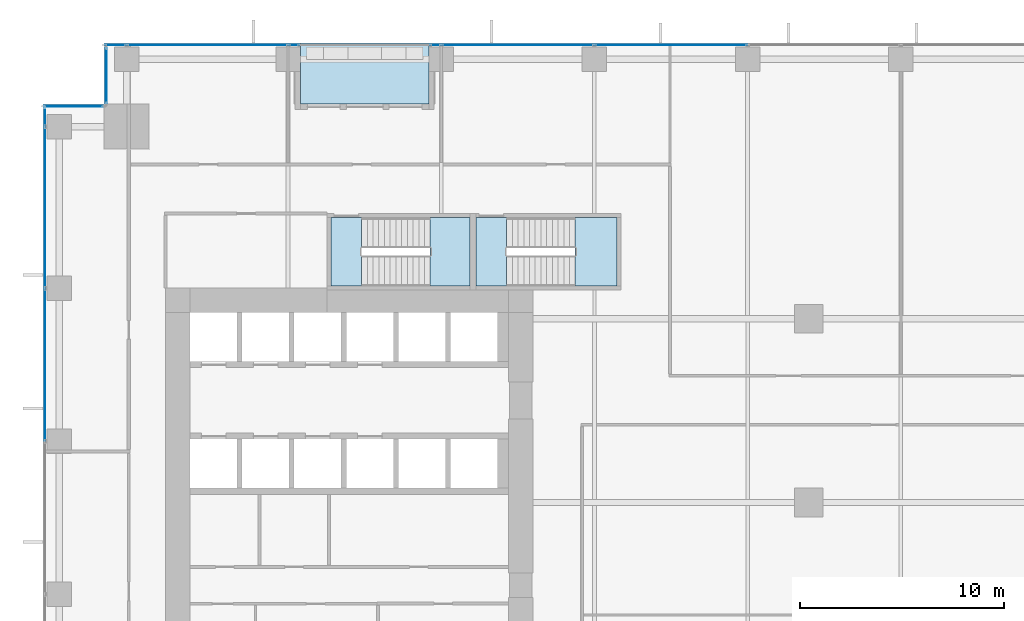
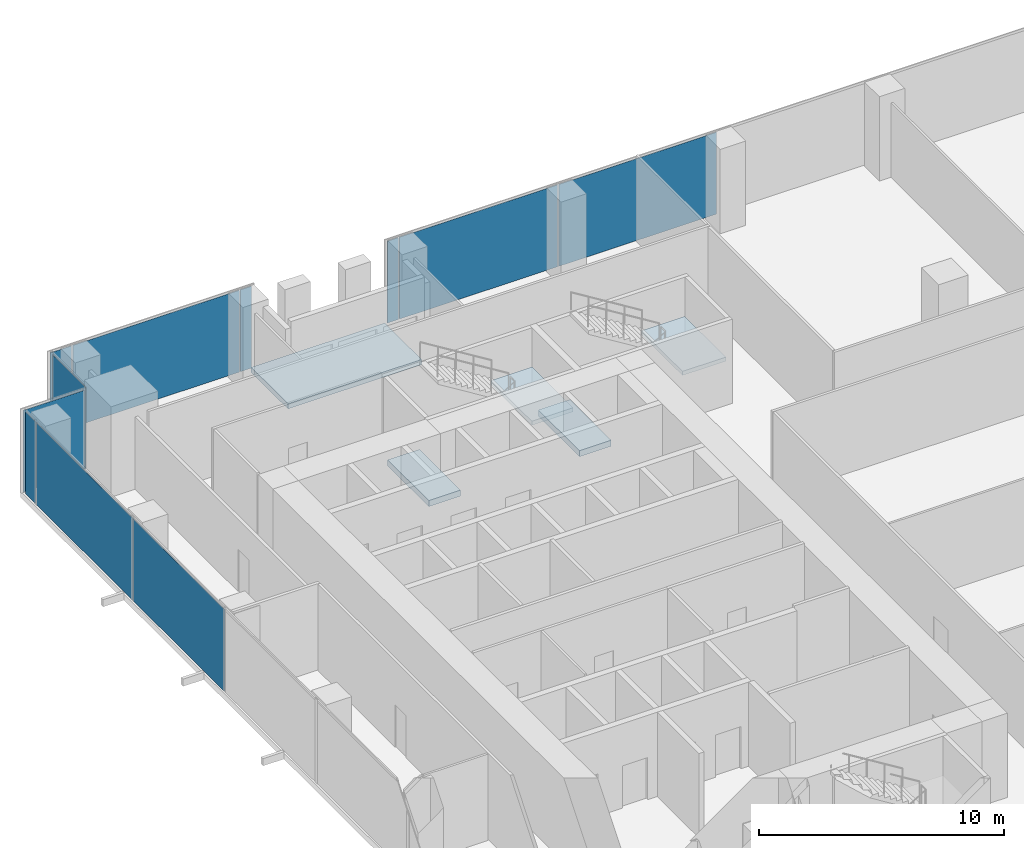
# One storey, part 24 of 32: 11 plates, 5 slabs, 7 elements without a shape of their own.
"""IFC4 building model written with IfcOpenShell, lengths in metres."""

import ifcopenshell
import ifcopenshell.guid

model = None  # the IFC model being written
_history = None  # IfcOwnerHistory: only IFC2X3 demands one
_inside = {}  # id of a spatial element -> (the spatial element, [elements in it])
_under = {}  # id of a project, library or spatial element -> (it, [spatial elements below it])
_declared = {}  # id of a project -> (the project, [libraries it declares])
_typed = {}  # id of a type object -> (the type object, [elements of that type])
_made_of = {}  # id of a material, layer set ... -> (it, [elements and type objects made of it])


def new_model(schema):
    """Start an empty IFC model of exactly this schema.

    Asked for "IFC4X3", IfcOpenShell would pick the latest addendum, in which some entities
    have other attributes; the version numbers below select the first issue.
    IFC2X3 requires an IfcOwnerHistory on every rooted entity: one is made here for all.
    """
    global model, _history
    if schema == "IFC4X3":
        model = ifcopenshell.file(schema_version=(4, 3, 0, 0))
    else:
        model = ifcopenshell.file(schema=schema)
    _inside.clear()
    _under.clear()
    _declared.clear()
    _typed.clear()
    _made_of.clear()
    _history = None
    if model.schema == "IFC2X3":
        org = make("IfcOrganization", Name="unknown")
        user = make(
            "IfcPersonAndOrganization",
            ThePerson=make("IfcPerson", FamilyName="unknown"),
            TheOrganization=org,
        )
        app = make(
            "IfcApplication",
            ApplicationDeveloper=org,
            Version="unknown",
            ApplicationFullName="unknown",
            ApplicationIdentifier="unknown",
        )
        _history = make(
            "IfcOwnerHistory",
            OwningUser=user,
            OwningApplication=app,
            ChangeAction="ADDED",
            CreationDate=0,
        )
    return model


def make(cls, **values):
    """One entity of the class cls with the attributes given. An attribute that is None is left unset."""
    return model.create_entity(
        cls, **{name: value for name, value in values.items() if value is not None}
    )


def rooted(cls, **values):
    """An entity with a GlobalId (a new one), such as an element, a storey or a relation."""
    return make(cls, GlobalId=ifcopenshell.guid.new(), OwnerHistory=_history, **values)


def si_unit(unit_type, name, prefix=None):
    """IfcSIUnit, for example si_unit("LENGTHUNIT", "METRE", prefix="MILLI")."""
    return make("IfcSIUnit", UnitType=unit_type, Prefix=prefix, Name=name)


def assignment(units):
    """IfcUnitAssignment: the units of a project."""
    return None if units is None else make("IfcUnitAssignment", Units=units)


def point(xyz):
    """IfcCartesianPoint."""
    return None if xyz is None else make("IfcCartesianPoint", Coordinates=xyz)


def direction(xyz):
    """IfcDirection."""
    return None if xyz is None else make("IfcDirection", DirectionRatios=xyz)


def frame(location, z_axis=None, x_axis=None):
    """IfcAxis2Placement3D, a coordinate frame: its origin and axes. An axis left out is left unset."""
    return make(
        "IfcAxis2Placement3D",
        Location=point(location),
        Axis=direction(z_axis),
        RefDirection=direction(x_axis),
    )


def frame_2d(location, x_axis=None):
    """IfcAxis2Placement2D, a coordinate frame in the plane: its origin and x axis."""
    return make(
        "IfcAxis2Placement2D", Location=point(location), RefDirection=direction(x_axis)
    )


def origin():
    """The frame at (0, 0, 0) with its axes left unset."""
    return frame((0.0, 0.0, 0.0))


def origin_2d():
    """The frame at (0, 0) in the plane with its x axis left unset."""
    return frame_2d((0.0, 0.0))


def place(relative_to, where):
    """IfcLocalPlacement: puts the frame where relative to a parent placement (None: the world)."""
    return make(
        "IfcLocalPlacement", PlacementRelTo=relative_to, RelativePlacement=where
    )


def context(
    kind, dimensions, precision=None, world=None, true_north=None, identifier=None
):
    """IfcGeometricRepresentationContext, for example the 3D "Model" context."""
    return make(
        "IfcGeometricRepresentationContext",
        ContextIdentifier=identifier,
        ContextType=kind,
        CoordinateSpaceDimension=dimensions,
        Precision=precision,
        WorldCoordinateSystem=world,
        TrueNorth=true_north,
    )


def subcontext(parent, identifier, kind, view, scale=None):
    """IfcGeometricRepresentationSubContext, for example "Body" below "Model"."""
    return make(
        "IfcGeometricRepresentationSubContext",
        ContextIdentifier=identifier,
        ContextType=kind,
        ParentContext=parent,
        TargetScale=scale,
        TargetView=view,
    )


def project(units=None, contexts=None):
    """IfcProject with its units and contexts."""
    return rooted(
        "IfcProject",
        Name="project",
        RepresentationContexts=contexts,
        UnitsInContext=assignment(units),
    )


def spatial(cls, under=None, at=None, **own):
    """A site, building, storey or space (cls), placed at a placement, below another one or the project."""
    s = rooted(cls, ObjectPlacement=at, **own)
    if under is not None:
        _under.setdefault(under.id(), (under, []))[1].append(s)
    return s


def polyline(points):
    """IfcPolyline through the points."""
    return make("IfcPolyline", Points=[point(p) for p in points])


def profile(cls, at=None, kind="AREA", **sizes):
    """A parametric profile (cls). Its sizes go by their IFC names, for example OverallWidth=200.0."""
    return make(cls, ProfileType=kind, Position=at, **sizes)


def rectangle(**sizes):
    """IfcRectangleProfileDef."""
    return profile("IfcRectangleProfileDef", **sizes)


def outline(outer, holes=None, kind="AREA"):
    """IfcArbitraryClosedProfileDef: a profile drawn as a closed curve; with holes, ...WithVoids."""
    if holes is None:
        return make("IfcArbitraryClosedProfileDef", ProfileType=kind, OuterCurve=outer)
    return make(
        "IfcArbitraryProfileDefWithVoids",
        ProfileType=kind,
        OuterCurve=outer,
        InnerCurves=holes,
    )


def extrude(swept, where, along, depth):
    """IfcExtrudedAreaSolid: the profile swept, set in the frame where, extruded along a direction by depth."""
    return make(
        "IfcExtrudedAreaSolid",
        SweptArea=swept,
        Position=where,
        ExtrudedDirection=direction(along),
        Depth=depth,
    )


def shape(context_of_items, identifier, shape_type, items):
    """IfcShapeRepresentation: the items that make up one representation, for example the "Body"."""
    return make(
        "IfcShapeRepresentation",
        ContextOfItems=context_of_items,
        RepresentationIdentifier=identifier,
        RepresentationType=shape_type,
        Items=items,
    )


def source(mapping_origin, context_of_items, identifier, shape_type, items):
    """IfcRepresentationMap: a shape defined once, which mapped items show again and again."""
    return make(
        "IfcRepresentationMap",
        MappingOrigin=mapping_origin,
        MappedRepresentation=shape(context_of_items, identifier, shape_type, items),
    )


def transform(
    local_origin,
    x_axis=None,
    y_axis=None,
    z_axis=None,
    scale=None,
    scale2=None,
    scale3=None,
    uniform=True,
):
    """IfcCartesianTransformationOperator3D, or its non-uniform kind. x_axis, y_axis, z_axis: its Axis1, 2, 3."""
    if uniform:
        return make(
            "IfcCartesianTransformationOperator3D",
            Axis1=direction(x_axis),
            Axis2=direction(y_axis),
            LocalOrigin=point(local_origin),
            Scale=scale,
            Axis3=direction(z_axis),
        )
    return make(
        "IfcCartesianTransformationOperator3DnonUniform",
        Axis1=direction(x_axis),
        Axis2=direction(y_axis),
        LocalOrigin=point(local_origin),
        Scale=scale,
        Axis3=direction(z_axis),
        Scale2=scale2,
        Scale3=scale3,
    )


def mapped(mapping_source, mapping_target):
    """IfcMappedItem: shows the shape of a source again, moved by a transform."""
    return make(
        "IfcMappedItem", MappingSource=mapping_source, MappingTarget=mapping_target
    )


def material(Name=None, Category=None):
    """IfcMaterial."""
    return make("IfcMaterial", Name=Name, Category=Category)


def layer(
    of_material, thickness, ventilated=None, Name=None, Category=None, Priority=None
):
    """IfcMaterialLayer: one layer of a wall or slab, of a material (None: an air gap)."""
    return make(
        "IfcMaterialLayer",
        Material=of_material,
        LayerThickness=thickness,
        IsVentilated=ventilated,
        Name=Name,
        Category=Category,
        Priority=Priority,
    )


def layer_set(layers, Name=None):
    """IfcMaterialLayerSet."""
    return make("IfcMaterialLayerSet", MaterialLayers=layers, LayerSetName=Name)


def made_of(thing, what):
    """Note that an element or type object is made of a material, layer set ...; save() writes the relation."""
    if what is not None:
        _made_of.setdefault(what.id(), (what, []))[1].append(thing)
    return thing


def type_object(cls, material=None, **own):
    """A type object (cls), such as IfcWallType, which elements share."""
    return made_of(rooted(cls, **own), material)


def element(
    cls,
    number,
    at=None,
    inside=None,
    cuts=None,
    type_object=None,
    material=None,
    context=None,
    identifier="Body",
    shape_type=None,
    held_by="IfcProductDefinitionShape",
    body=None,
    shapes=None,
    **own,
):
    """One element of the class cls, such as IfcWall. Its Tag is "e" and its number.

    at: its placement. inside: the storey or other place that contains it. cuts: it is an
    opening in that element (IfcRelVoidsElement). A single representation is given by context,
    identifier, shape_type and body (its items); several are given by shapes. held_by: the class
    of the entity that holds the representations. save() writes the other relations.
    """
    e = rooted(cls, Tag="e%d" % number, ObjectPlacement=at, **own)
    if body is not None:
        shapes = [shape(context, identifier, shape_type, body)]
    if shapes is not None:
        e.Representation = make(held_by, Representations=shapes)
    if inside is not None:
        _inside.setdefault(inside.id(), (inside, []))[1].append(e)
    if cuts is not None:
        rooted(
            "IfcRelVoidsElement", RelatingBuildingElement=cuts, RelatedOpeningElement=e
        )
    if type_object is not None:
        _typed.setdefault(type_object.id(), (type_object, []))[1].append(e)
    return made_of(e, material)


def aggregate(whole, parts):
    """IfcRelAggregates: a whole, such as a stair, and the parts it consists of."""
    return rooted("IfcRelAggregates", RelatingObject=whole, RelatedObjects=parts)


def save(model, path):
    """Write the relations noted so far, then the file.

    IfcRelAggregates (storeys below a building ...), IfcRelContainedInSpatialStructure (elements
    in a storey), IfcRelDefinesByType, IfcRelAssociatesMaterial and IfcRelDeclares: one each for
    every whole, place, type object, material and project.
    """
    for whole, parts in _under.values():
        aggregate(whole, parts)
    for where, things in _inside.values():
        rooted(
            "IfcRelContainedInSpatialStructure",
            RelatedElements=things,
            RelatingStructure=where,
        )
    for kind, things in _typed.values():
        rooted("IfcRelDefinesByType", RelatedObjects=things, RelatingType=kind)
    for what, things in _made_of.values():
        rooted("IfcRelAssociatesMaterial", RelatedObjects=things, RelatingMaterial=what)
    for by, libraries in _declared.values():
        rooted("IfcRelDeclares", RelatingContext=by, RelatedDefinitions=libraries)
    model.write(path)


model = new_model("IFC4")

# Units and contexts
model_context = context("Model", 3, precision=1e-05, world=origin(), true_north=direction((0.0, 1.0)))
body_context = subcontext(model_context, "Body", "Model", "MODEL_VIEW")
ifc_project = project(units=[si_unit("LENGTHUNIT", "METRE"), si_unit("AREAUNIT", "SQUARE_METRE"), si_unit("VOLUMEUNIT", "CUBIC_METRE"), si_unit("PLANEANGLEUNIT", "RADIAN"), si_unit("MASSUNIT", "GRAM", prefix="KILO")], contexts=[model_context])

# Site, building, storey
site_placement = place(None, origin())
site = spatial("IfcSite", under=ifc_project, at=site_placement, CompositionType="ELEMENT")
building_placement = place(site_placement, origin())
building = spatial("IfcBuilding", under=site, at=building_placement, Name="Khomas Fold Tower", CompositionType="ELEMENT")
storey_placement = place(building_placement, frame((0.0, 0.0, 37.5)))
storey = spatial("IfcBuildingStorey", under=building, at=storey_placement, Name="L07", CompositionType="ELEMENT", Elevation=37.5)

# Curtain wall, plate
ifc_material_1 = material(Name="Aluminium framed double glazing", Category="aluminium")
curtain_wall_type = type_object("IfcCurtainWallType", Name="SK-Unitised clear-glass wall, growing floors CW1", PredefinedType="NOTDEFINED", material=ifc_material_1)
curtain_wall_1_placement = place(storey_placement, origin())
curtain_wall_1 = element("IfcCurtainWall", 1, at=curtain_wall_1_placement, inside=storey, type_object=curtain_wall_type, Name="CW1 run L07 09-0", PredefinedType="NOTDEFINED")
ifc_material_2 = material(Name="Clear double glazed unit")
ifc_layer_1 = layer(ifc_material_2, 0.031982421875)
ifc_layer_set_1 = layer_set([ifc_layer_1], Name="Clear double glazed unit")
plate_type = type_object("IfcPlateType", Name="SK-Unitised clear-glass wall, growing floors glass panel CW1-P", PredefinedType="CURTAIN_PANEL", material=ifc_layer_set_1)
shared_shape_1 = source(origin(), body_context, "Body", "SweptSolid", [
    extrude(rectangle(XDim=0.81005859375, YDim=0.031982421875, at=origin_2d()), origin(), (0.0, 0.0, 1.0), 4.080078125),
])
plate_1_placement = place(storey_placement, frame((0.10009765625, 50.3349609375, 0.0), z_axis=(0.0, 0.0, 1.0), x_axis=(0.0, -1.0, 0.0)))
plate_1 = element("IfcPlate", 2, at=plate_1_placement, type_object=plate_type, Name="CW1 glass panel 1", PredefinedType="CURTAIN_PANEL", context=body_context, shape_type="MappedRepresentation", body=[
    mapped(shared_shape_1, transform((0.0, 0.0, 0.0))),
])

curtain_wall_2_placement = place(storey_placement, origin())
curtain_wall_2 = element("IfcCurtainWall", 3, at=curtain_wall_2_placement, inside=storey, type_object=curtain_wall_type, Name="CW1 run L07 06-1", PredefinedType="NOTDEFINED")
shared_shape_2 = source(origin(), body_context, "Body", "SweptSolid", [
    extrude(rectangle(XDim=7.840087890625, YDim=0.031982421875, at=origin_2d()), origin(), (0.0, 0.0, 1.0), 4.080078125),
])
plate_2_placement = place(storey_placement, frame((8.050048828125, 53.89990234375, 0.0), z_axis=(0.0, 0.0, 1.0), x_axis=(-1.0, 0.0, 0.0)))
plate_2 = element("IfcPlate", 4, at=plate_2_placement, type_object=plate_type, Name="CW1 glass panel 2", PredefinedType="CURTAIN_PANEL", context=body_context, shape_type="MappedRepresentation", body=[
    mapped(shared_shape_2, transform((0.0, 0.0, 0.0))),
])

# Plate
plate_3_placement = place(storey_placement, frame((0.10009765625, 45.949951171875, 0.0), z_axis=(0.0, 0.0, 1.0), x_axis=(0.0, -1.0, 0.0)))
plate_3 = element("IfcPlate", 5, at=plate_3_placement, type_object=plate_type, Name="CW1 glass panel 2", PredefinedType="CURTAIN_PANEL", context=body_context, shape_type="MappedRepresentation", body=[
    mapped(shared_shape_2, transform((0.0, 0.0, 0.0))),
])

# Curtain wall, plates
curtain_wall_3_placement = place(storey_placement, origin())
curtain_wall_3 = element("IfcCurtainWall", 6, at=curtain_wall_3_placement, inside=storey, type_object=curtain_wall_type, Name="CW1 run L07 06-0", PredefinedType="NOTDEFINED")
shared_shape_3 = source(origin(), body_context, "Body", "SweptSolid", [
    extrude(rectangle(XDim=7.43994140625, YDim=0.031982421875, at=origin_2d()), origin(), (0.0, 0.0, 1.0), 4.080078125),
])
plate_4_placement = place(storey_placement, frame((30.75, 53.89990234375, 0.0), z_axis=(0.0, 0.0, 1.0), x_axis=(-1.0, 0.0, 0.0)))
plate_4 = element("IfcPlate", 7, at=plate_4_placement, type_object=plate_type, Name="CW1 glass panel 4", PredefinedType="CURTAIN_PANEL", context=body_context, shape_type="MappedRepresentation", body=[
    mapped(shared_shape_3, transform((0.0, 0.0, 0.0))),
])
plate_5_placement = place(storey_placement, frame((23.25, 53.89990234375, 0.0), z_axis=(0.0, 0.0, 1.0), x_axis=(-1.0, 0.0, 0.0)))
plate_5 = element("IfcPlate", 8, at=plate_5_placement, type_object=plate_type, Name="CW1 glass panel 5", PredefinedType="CURTAIN_PANEL", context=body_context, shape_type="MappedRepresentation", body=[
    mapped(shared_shape_3, transform((0.0, 0.0, 0.0))),
])

# Plate
plate_6_placement = place(storey_placement, frame((0.10009765625, 38.25, 0.0), z_axis=(0.0, 0.0, 1.0), x_axis=(0.0, -1.0, 0.0)))
plate_6 = element("IfcPlate", 9, at=plate_6_placement, type_object=plate_type, Name="CW1 glass panel 3", PredefinedType="CURTAIN_PANEL", context=body_context, shape_type="MappedRepresentation", body=[
    mapped(shared_shape_3, transform((0.0, 0.0, 0.0))),
])

aggregate(curtain_wall_1, [plate_1, plate_3, plate_6])

shared_shape_4 = source(origin(), body_context, "Body", "SweptSolid", [
    extrude(rectangle(XDim=1.010009765625, YDim=0.031982421875, at=origin_2d()), origin(), (0.0, 0.0, 1.0), 4.080078125),
])
plate_7_placement = place(storey_placement, frame((3.56494140625, 53.89990234375, 0.0), z_axis=(0.0, 0.0, 1.0), x_axis=(-1.0, 0.0, 0.0)))
plate_7 = element("IfcPlate", 10, at=plate_7_placement, type_object=plate_type, Name="CW1 glass panel 3", PredefinedType="CURTAIN_PANEL", context=body_context, shape_type="MappedRepresentation", body=[
    mapped(shared_shape_4, transform((0.0, 0.0, 0.0))),
])

# Curtain wall, plate
curtain_wall_4_placement = place(storey_placement, origin())
curtain_wall_4 = element("IfcCurtainWall", 11, at=curtain_wall_4_placement, inside=storey, type_object=curtain_wall_type, Name="CW1 corner return L07 07", PredefinedType="NOTDEFINED")
shared_shape_5 = source(origin(), body_context, "Body", "SweptSolid", [
    extrude(rectangle(XDim=2.679931640625, YDim=0.031982421875, at=origin_2d()), origin(), (0.0, 0.0, 1.0), 4.080078125),
])
plate_8_placement = place(storey_placement, frame((3.10009765625, 52.39990234375, 0.0), z_axis=(0.0, 0.0, 1.0), x_axis=(0.0, -1.0, 0.0)))
plate_8 = element("IfcPlate", 12, at=plate_8_placement, type_object=plate_type, Name="CW1 glass panel 1", PredefinedType="CURTAIN_PANEL", context=body_context, shape_type="MappedRepresentation", body=[
    mapped(shared_shape_5, transform((0.0, 0.0, 0.0))),
])
aggregate(curtain_wall_4, [plate_8])

curtain_wall_5_placement = place(storey_placement, origin())
curtain_wall_5 = element("IfcCurtainWall", 13, at=curtain_wall_5_placement, inside=storey, type_object=curtain_wall_type, Name="CW1 corner return L07 08", PredefinedType="NOTDEFINED")
shared_shape_6 = source(origin(), body_context, "Body", "SweptSolid", [
    extrude(rectangle(XDim=2.8798828125, YDim=0.031982421875, at=origin_2d()), origin(), (0.0, 0.0, 1.0), 4.080078125),
])
plate_9_placement = place(storey_placement, frame((1.5, 50.89990234375, 0.0), z_axis=(0.0, 0.0, 1.0), x_axis=(-1.0, 0.0, 0.0)))
plate_9 = element("IfcPlate", 14, at=plate_9_placement, type_object=plate_type, Name="CW1 glass panel 1", PredefinedType="CURTAIN_PANEL", context=body_context, shape_type="MappedRepresentation", body=[
    mapped(shared_shape_6, transform((0.0, 0.0, 0.0))),
])
aggregate(curtain_wall_5, [plate_9])

# Plate
shared_shape_7 = source(origin(), body_context, "Body", "SweptSolid", [
    extrude(rectangle(XDim=0.510009765625, YDim=0.031982421875, at=origin_2d()), origin(), (0.0, 0.0, 1.0), 4.080078125),
])
plate_10_placement = place(storey_placement, frame((19.215087890625, 53.89990234375, 0.0), z_axis=(0.0, 0.0, 1.0), x_axis=(-1.0, 0.0, 0.0)))
plate_10 = element("IfcPlate", 15, at=plate_10_placement, type_object=plate_type, Name="CW1 glass panel 6", PredefinedType="CURTAIN_PANEL", context=body_context, shape_type="MappedRepresentation", body=[
    mapped(shared_shape_7, transform((0.0, 0.0, 0.0))),
])

aggregate(curtain_wall_3, [plate_4, plate_5, plate_10])

plate_11_placement = place(storey_placement, frame((12.284912109375, 53.89990234375, 0.0), z_axis=(0.0, 0.0, 1.0), x_axis=(-1.0, 0.0, 0.0)))
plate_11 = element("IfcPlate", 16, at=plate_11_placement, type_object=plate_type, Name="CW1 glass panel 1", PredefinedType="CURTAIN_PANEL", context=body_context, shape_type="MappedRepresentation", body=[
    mapped(shared_shape_7, transform((0.0, 0.0, 0.0))),
])

aggregate(curtain_wall_2, [plate_11, plate_2, plate_7])

# Slab
ifc_material_3 = material(Name="Concrete C40/50", Category="concrete")
ifc_layer_2 = layer(ifc_material_3, 0.2548828125)
ifc_layer_set_2 = layer_set([ifc_layer_2], Name="Concrete C40/50")
slab_type_1 = type_object("IfcSlabType", Name="BL-Balcony deck 255", PredefinedType="FLOOR", material=ifc_layer_set_2)
shared_shape_8 = source(origin(), body_context, "Body", "SweptSolid", [
    extrude(outline(polyline([(12.60009765625, 51.0), (18.89990234375, 51.0), (18.89990234375, 54.0), (12.60009765625, 54.0), (12.60009765625, 51.0)])), origin(), (0.0, 0.0, 1.0), 0.255126953125),
])
slab_1_placement = place(storey_placement, frame((0.0, 0.0, -0.300048828125)))
element("IfcSlab", 17, at=slab_1_placement, inside=storey, type_object=slab_type_1, Name="Balcony deck BAL-L07-N1", PredefinedType="FLOOR", context=body_context, shape_type="MappedRepresentation", body=[
    mapped(shared_shape_8, transform((0.0, 0.0, 0.0))),
])

# Stair, slab
ifc_material_4 = material(Name="Concrete C40/50", Category="concrete")
stair_type_1 = type_object("IfcStairType", Name="Stair ST1", PredefinedType="HALF_TURN_STAIR", material=ifc_material_4)
stair_1_placement = place(storey_placement, origin())
stair_1 = element("IfcStair", 18, at=stair_1_placement, inside=storey, type_object=stair_type_1, Name="L07 ST1", PredefinedType="HALF_TURN_STAIR")
ifc_material_5 = material(Name="Concrete C40/50", Category="concrete")
ifc_layer_3 = layer(ifc_material_5, 0.199951171875)
ifc_layer_set_3 = layer_set([ifc_layer_3], Name="Concrete C40/50")
slab_type_2 = type_object("IfcSlabType", Name="Stair landing 200", PredefinedType="LANDING", material=ifc_layer_set_3)
shared_shape_9 = source(origin(), body_context, "Body", "SweptSolid", [
    extrude(outline(polyline([(18.9599609375, 42.10009765625), (20.89990234375, 42.10009765625), (20.89990234375, 45.449951171875), (18.9599609375, 45.449951171875), (18.9599609375, 42.10009765625)])), origin(), (0.0, 0.0, 1.0), 0.199951171875),
])
slab_2_placement = place(storey_placement, frame((0.0, 0.0, 2.050048828125)))
slab_2 = element("IfcSlab", 19, at=slab_2_placement, type_object=slab_type_2, Name="ST1 landing 1", PredefinedType="LANDING", context=body_context, shape_type="MappedRepresentation", body=[
    mapped(shared_shape_9, transform((0.0, 0.0, 0.0))),
])
aggregate(stair_1, [slab_2])

# Slab
ifc_material_6 = material(Name="Concrete C40/50", Category="concrete")
ifc_layer_4 = layer(ifc_material_6, 0.300048828125)
ifc_layer_set_4 = layer_set([ifc_layer_4], Name="Concrete C40/50")
slab_type_3 = type_object("IfcSlabType", Name="Stair floor landing 300", PredefinedType="LANDING", material=ifc_layer_set_4)
shared_shape_10 = source(origin(), body_context, "Body", "SweptSolid", [
    extrude(outline(polyline([(15.60009765625, 42.10009765625), (14.10009765625, 42.10009765625), (14.10009765625, 45.449951171875), (15.60009765625, 45.449951171875), (15.60009765625, 42.10009765625)])), origin(), (0.0, 0.0, 1.0), 0.300048828125),
])
slab_3_placement = place(storey_placement, frame((0.0, 0.0, -0.300048828125)))
element("IfcSlab", 20, at=slab_3_placement, inside=storey, type_object=slab_type_3, Name="ST1 floor landing", PredefinedType="LANDING", context=body_context, shape_type="MappedRepresentation", body=[
    mapped(shared_shape_10, transform((0.0, 0.0, 0.0))),
])

# Stair, slab
ifc_material_7 = material(Name="Concrete C40/50", Category="concrete")
stair_type_2 = type_object("IfcStairType", Name="Stair ST3", PredefinedType="HALF_TURN_STAIR", material=ifc_material_7)
stair_2_placement = place(storey_placement, origin())
stair_2 = element("IfcStair", 21, at=stair_2_placement, inside=storey, type_object=stair_type_2, Name="L07 ST3", PredefinedType="HALF_TURN_STAIR")
shared_shape_11 = source(origin(), body_context, "Body", "SweptSolid", [
    extrude(outline(polyline([(26.06005859375, 42.10009765625), (28.10009765625, 42.10009765625), (28.10009765625, 45.449951171875), (26.06005859375, 45.449951171875), (26.06005859375, 42.10009765625)])), origin(), (0.0, 0.0, 1.0), 0.199951171875),
])
slab_4_placement = place(storey_placement, frame((0.0, 0.0, 2.050048828125)))
slab_4 = element("IfcSlab", 22, at=slab_4_placement, type_object=slab_type_2, Name="ST3 landing 1", PredefinedType="LANDING", context=body_context, shape_type="MappedRepresentation", body=[
    mapped(shared_shape_11, transform((0.0, 0.0, 0.0))),
])
aggregate(stair_2, [slab_4])

# Slab
shared_shape_12 = source(origin(), body_context, "Body", "SweptSolid", [
    extrude(outline(polyline([(22.699951171875, 42.10009765625), (21.199951171875, 42.10009765625), (21.199951171875, 45.449951171875), (22.699951171875, 45.449951171875), (22.699951171875, 42.10009765625)])), origin(), (0.0, 0.0, 1.0), 0.300048828125),
])
slab_5_placement = place(storey_placement, frame((0.0, 0.0, -0.300048828125)))
element("IfcSlab", 23, at=slab_5_placement, inside=storey, type_object=slab_type_3, Name="ST3 floor landing", PredefinedType="LANDING", context=body_context, shape_type="MappedRepresentation", body=[
    mapped(shared_shape_12, transform((0.0, 0.0, 0.0))),
])

save(model, "model.ifc")
